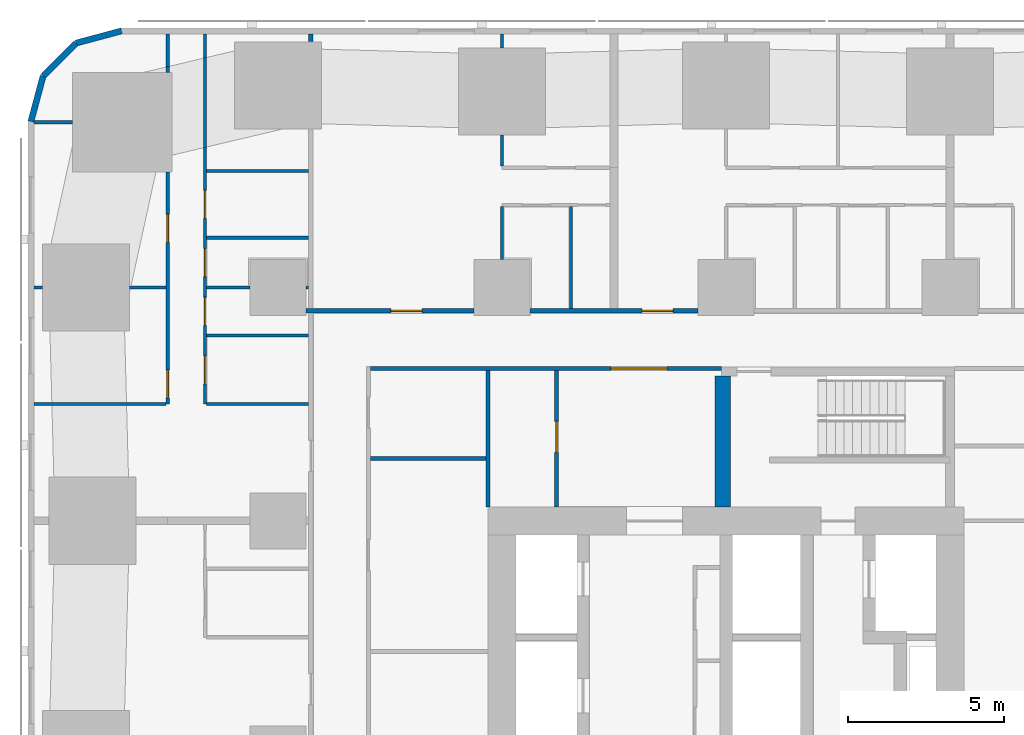
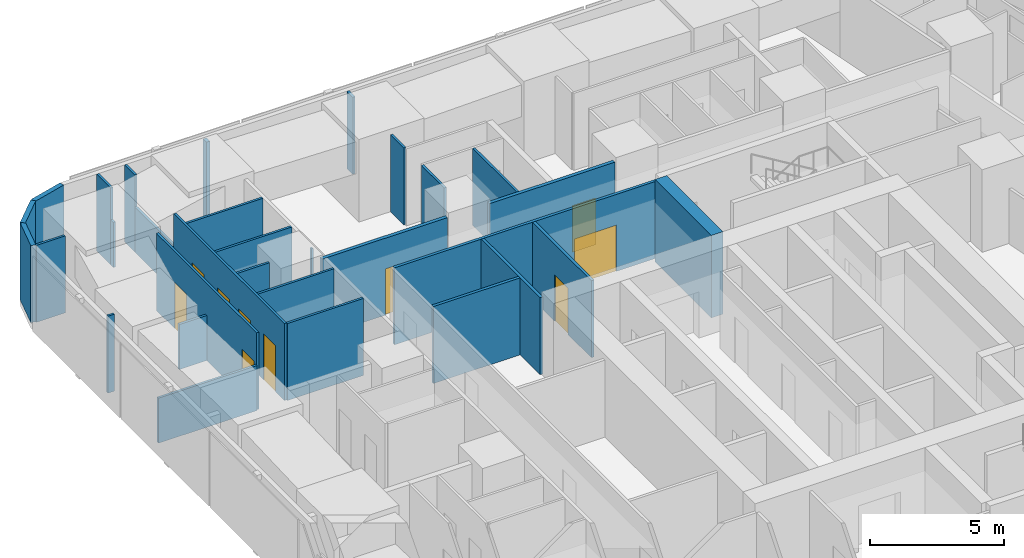
# One storey, part 9 of 16: 31 walls, 10 doors, 10 openings.
"""IFC4 building model written with IfcOpenShell, lengths in metres."""

from ifc_helpers import new_model, si_unit, direction, frame, frame_2d, origin, place, context, subcontext, project, spatial, rectangle, extrude, material, layer, layer_set, type_object, element, fill, save


model = new_model("IFC4")

# Units and contexts
model_context = context("Model", 3, precision=1e-05, world=origin(), true_north=direction((0.0, 1.0)))
body_context = subcontext(model_context, "Body", "Model", "MODEL_VIEW")
ifc_project = project(units=[si_unit("LENGTHUNIT", "METRE"), si_unit("AREAUNIT", "SQUARE_METRE"), si_unit("VOLUMEUNIT", "CUBIC_METRE"), si_unit("PLANEANGLEUNIT", "RADIAN"), si_unit("MASSUNIT", "GRAM", prefix="KILO")], contexts=[model_context])

# Site, building, storey
site_placement = place(None, origin())
site = spatial("IfcSite", under=ifc_project, at=site_placement, CompositionType="ELEMENT")
building_placement = place(site_placement, origin())
building = spatial("IfcBuilding", under=site, at=building_placement, Name="Sheger Commons Tower", CompositionType="ELEMENT")
storey_placement = place(building_placement, frame((0.0, 0.0, 61.25)))
storey = spatial("IfcBuildingStorey", under=building, at=storey_placement, Name="L15", CompositionType="ELEMENT", Elevation=61.25)

# Wall
ifc_material_1 = material(Name="Hollow concrete block masonry, skimmed both sides", Category="masonry")
ifc_layer_1 = layer(ifc_material_1, 0.14990234375)
ifc_layer_set_1 = layer_set([ifc_layer_1], Name="CORRIDOR WALL 150")
wall_type_1 = type_object("IfcWallType", Name="CORRIDOR WALL 150", PredefinedType="SOLIDWALL", material=ifc_layer_set_1)
wall_1_placement = place(storey_placement, frame((8.25, 45.40087890625, 0.0), z_axis=(0.0, 0.0, 1.0), x_axis=(0.0, 1.0, 0.0)))
element("IfcWall", 1, at=wall_1_placement, inside=storey, type_object=wall_type_1, Name="Corridor wall L15", PredefinedType="SOLIDWALL", context=body_context, shape_type="SweptSolid", body=[
    extrude(rectangle(XDim=0.2490234375, YDim=0.14990234375, at=frame_2d((0.12451171875, 0.0))), origin(), (0.0, 0.0, 1.0), 3.5),
])

# Wall, opening, door
wall_2_placement = place(storey_placement, frame((8.10009765625, 36.75, 0.0), z_axis=(0.0, 0.0, 1.0), x_axis=(1.0, 0.0, 0.0)))
wall_2 = element("IfcWall", 2, at=wall_2_placement, inside=storey, type_object=wall_type_1, Name="Corridor wall L15", PredefinedType="SOLIDWALL", context=body_context, shape_type="SweptSolid", body=[
    extrude(rectangle(XDim=5.39892578125, YDim=0.14990234375, at=frame_2d((2.699462890625, 0.0))), origin(), (0.0, 0.0, 1.0), 3.5),
])
opening_1_placement = place(wall_2_placement, frame((2.72509765625, 0.0, 0.0)))
opening_1 = element("IfcOpeningElement", 3, at=opening_1_placement, cuts=wall_2, Name="Opening D1", PredefinedType="OPENING", context=body_context, shape_type="SweptSolid", body=[
    extrude(rectangle(XDim=1.0, YDim=2.10009765625, at=frame_2d((0.5, 1.050048828125))), frame((0.0, 0.0849609375, 0.0), z_axis=(0.0, -1.0, 0.0), x_axis=(1.0, 0.0, 0.0)), (0.0, 0.0, 1.0), 0.169921875),
])
ifc_material_2 = material(Name="Steel door set, fire rated", Category="steel")
door_type_1 = type_object("IfcDoorType", Name="FLAT ENTRANCE DOOR 1000x2100", OperationType="NOTDEFINED", PredefinedType="DOOR", material=ifc_material_2)
door_1_placement = place(opening_1_placement, origin())
door_1 = element("IfcDoor", 4, at=door_1_placement, inside=storey, type_object=door_type_1, Name="Flat entrance door", OperationType="SINGLE_SWING_LEFT", OverallHeight=2.10009765625, OverallWidth=1.0, PredefinedType="DOOR", context=body_context, shape_type="SweptSolid", body=[
    extrude(rectangle(XDim=1.0, YDim=2.10009765625, at=frame_2d((0.5, 1.050048828125))), frame((0.0, 0.02490234375, 0.0), z_axis=(0.0, -1.0, 0.0), x_axis=(1.0, 0.0, 0.0)), (0.0, 0.0, 1.0), 0.050048828125),
])
fill(opening_1, door_1)

wall_3_placement = place(storey_placement, frame((15.301025390625, 36.75, 0.0), z_axis=(0.0, 0.0, 1.0), x_axis=(1.0, 0.0, 0.0)))
wall_3 = element("IfcWall", 5, at=wall_3_placement, inside=storey, type_object=wall_type_1, Name="Corridor wall L15", PredefinedType="SOLIDWALL", context=body_context, shape_type="SweptSolid", body=[
    extrude(rectangle(XDim=5.39794921875, YDim=0.14990234375, at=frame_2d((2.698974609375, 0.0))), origin(), (0.0, 0.0, 1.0), 3.5),
])
opening_2_placement = place(wall_3_placement, frame((3.59912109375, 0.0, 0.0)))
opening_2 = element("IfcOpeningElement", 6, at=opening_2_placement, cuts=wall_3, Name="Opening D1", PredefinedType="OPENING", context=body_context, shape_type="SweptSolid", body=[
    extrude(rectangle(XDim=1.0, YDim=2.10009765625, at=frame_2d((0.5, 1.050048828125))), frame((0.0, 0.0849609375, 0.0), z_axis=(0.0, -1.0, 0.0), x_axis=(1.0, 0.0, 0.0)), (0.0, 0.0, 1.0), 0.169921875),
])
door_2_placement = place(opening_2_placement, origin())
door_2 = element("IfcDoor", 7, at=door_2_placement, inside=storey, type_object=door_type_1, Name="Flat entrance door", OperationType="SINGLE_SWING_RIGHT", OverallHeight=2.10009765625, OverallWidth=1.0, PredefinedType="DOOR", context=body_context, shape_type="SweptSolid", body=[
    extrude(rectangle(XDim=1.0, YDim=2.10009765625, at=frame_2d((0.5, 1.050048828125))), frame((0.0, 0.02490234375, 0.0), z_axis=(0.0, -1.0, 0.0), x_axis=(1.0, 0.0, 0.0)), (0.0, 0.0, 1.0), 0.050048828125),
])
fill(opening_2, door_2)

# Walls
ifc_material_3 = material(Name="Rendered concrete block masonry, dark grey", Category="masonry")
ifc_layer_2 = layer(ifc_material_3, 0.199951171875)
ifc_layer_set_2 = layer_set([ifc_layer_2], Name="FACADE WALL 200")
wall_type_2 = type_object("IfcWallType", Name="FACADE WALL 200", PredefinedType="SOLIDWALL", material=ifc_layer_set_2)
wall_4_placement = place(storey_placement, frame((2.1630859375, 45.75, 0.0), z_axis=(0.0, 0.0, 1.0), x_axis=(-0.965832000415, -0.259168954497, 0.0)))
element("IfcWall", 8, at=wall_4_placement, inside=storey, type_object=wall_type_2, Name="Facade wall L15", PredefinedType="SOLIDWALL", context=body_context, shape_type="SweptSolid", body=[
    extrude(rectangle(XDim=1.512939453125, YDim=0.199951171875, at=frame_2d((0.75634765625, 0.0))), origin(), (0.0, 0.0, 1.0), 3.5),
])
wall_5_placement = place(storey_placement, frame((0.701904296875, 45.35791015625, 0.0), z_axis=(0.0, 0.0, 1.0), x_axis=(-0.707106781187, -0.707106781187, 0.0)))
element("IfcWall", 9, at=wall_5_placement, inside=storey, type_object=wall_type_2, Name="Facade wall L15", PredefinedType="SOLIDWALL", context=body_context, shape_type="SweptSolid", body=[
    extrude(rectangle(XDim=1.498779296875, YDim=0.199951171875, at=frame_2d((0.74951171875, 0.0))), origin(), (0.0, 0.0, 1.0), 3.5),
])
wall_6_placement = place(storey_placement, frame((-0.35791015625, 44.298095703125, 0.0), z_axis=(0.0, 0.0, 1.0), x_axis=(-0.259168954497, -0.965832000415, 0.0)))
element("IfcWall", 10, at=wall_6_placement, inside=storey, type_object=wall_type_2, Name="Facade wall L15", PredefinedType="SOLIDWALL", context=body_context, shape_type="SweptSolid", body=[
    extrude(rectangle(XDim=1.512939453125, YDim=0.199951171875, at=frame_2d((0.75634765625, 0.0))), origin(), (0.0, 0.0, 1.0), 3.5),
])

# Wall, openings, doors
ifc_material_4 = material(Name="Gypsum board on steel studs", Category="steel")
ifc_layer_3 = layer(ifc_material_4, 0.10009765625)
ifc_layer_set_3 = layer_set([ifc_layer_3], Name="PARTITION 100")
wall_type_3 = type_object("IfcWallType", Name="PARTITION 100", PredefinedType="PARTITIONING", material=ifc_layer_set_3)
wall_7_placement = place(storey_placement, frame((3.64990234375, 33.75, 0.0), z_axis=(0.0, 0.0, 1.0), x_axis=(0.0, 1.0, 0.0)))
wall_7 = element("IfcWall", 11, at=wall_7_placement, inside=storey, type_object=wall_type_3, Name="Partition L15", PredefinedType="PARTITIONING", context=body_context, shape_type="SweptSolid", body=[
    extrude(rectangle(XDim=7.462890625, YDim=0.10009765625, at=frame_2d((3.7314453125, 0.0))), origin(), (0.0, 0.0, 1.0), 3.5),
])
opening_3_placement = place(wall_7_placement, frame((0.199951171875, 0.0, 0.0)))
opening_3 = element("IfcOpeningElement", 12, at=opening_3_placement, cuts=wall_7, Name="Opening D2", PredefinedType="OPENING", context=body_context, shape_type="SweptSolid", body=[
    extrude(rectangle(XDim=0.89990234375, YDim=2.10009765625, at=frame_2d((0.449951171875, 1.050048828125))), frame((0.0, 0.06005859375, 0.0), z_axis=(0.0, -1.0, 0.0), x_axis=(1.0, 0.0, 0.0)), (0.0, 0.0, 1.0), 0.1201171875),
])
opening_4_placement = place(wall_7_placement, frame((5.199951171875, 0.0, 0.0)))
opening_4 = element("IfcOpeningElement", 13, at=opening_4_placement, cuts=wall_7, Name="Opening D2", PredefinedType="OPENING", context=body_context, shape_type="SweptSolid", body=[
    extrude(rectangle(XDim=0.89990234375, YDim=2.10009765625, at=frame_2d((0.449951171875, 1.050048828125))), frame((0.0, 0.06005859375, 0.0), z_axis=(0.0, -1.0, 0.0), x_axis=(1.0, 0.0, 0.0)), (0.0, 0.0, 1.0), 0.1201171875),
])
ifc_material_5 = material(Name="Timber door set", Category="wood")
door_type_2 = type_object("IfcDoorType", Name="INTERNAL DOOR 900x2100", OperationType="NOTDEFINED", PredefinedType="DOOR", material=ifc_material_5)
door_3_placement = place(opening_3_placement, origin())
door_3 = element("IfcDoor", 14, at=door_3_placement, inside=storey, type_object=door_type_2, Name="Main bedroom door", OperationType="SINGLE_SWING_LEFT", OverallHeight=2.10009765625, OverallWidth=0.89990234375, PredefinedType="DOOR", context=body_context, shape_type="SweptSolid", body=[
    extrude(rectangle(XDim=0.89990234375, YDim=2.10009765625, at=frame_2d((0.449951171875, 1.050048828125))), frame((0.0, 0.02490234375, 0.0), z_axis=(0.0, -1.0, 0.0), x_axis=(1.0, 0.0, 0.0)), (0.0, 0.0, 1.0), 0.050048828125),
])
fill(opening_3, door_3)
door_4_placement = place(opening_4_placement, origin())
door_4 = element("IfcDoor", 15, at=door_4_placement, inside=storey, type_object=door_type_2, Name="Bedroom 2 door", OperationType="SINGLE_SWING_RIGHT", OverallHeight=2.10009765625, OverallWidth=0.89990234375, PredefinedType="DOOR", context=body_context, shape_type="SweptSolid", body=[
    extrude(rectangle(XDim=0.89990234375, YDim=2.10009765625, at=frame_2d((0.449951171875, 1.050048828125))), frame((0.0, 0.02490234375, 0.0), z_axis=(0.0, -1.0, 0.0), x_axis=(1.0, 0.0, 0.0)), (0.0, 0.0, 1.0), 0.050048828125),
])
fill(opening_4, door_4)

# Walls
wall_8_placement = place(storey_placement, frame((3.64990234375, 44.4150390625, 0.0), z_axis=(0.0, 0.0, 1.0), x_axis=(0.0, 1.0, 0.0)))
element("IfcWall", 16, at=wall_8_placement, inside=storey, type_object=wall_type_3, Name="Partition L15", PredefinedType="PARTITIONING", context=body_context, shape_type="SweptSolid", body=[
    extrude(rectangle(XDim=0.196044921875, YDim=0.10009765625, at=frame_2d((0.09814453125, 0.0))), origin(), (0.0, 0.0, 1.0), 2.050048828125),
])
wall_9_placement = place(storey_placement, frame((3.64990234375, 44.611083984375, 0.0), z_axis=(0.0, 0.0, 1.0), x_axis=(0.0, 1.0, 0.0)))
element("IfcWall", 17, at=wall_9_placement, inside=storey, type_object=wall_type_3, Name="Partition L15", PredefinedType="PARTITIONING", context=body_context, shape_type="SweptSolid", body=[
    extrude(rectangle(XDim=1.038818359375, YDim=0.10009765625, at=frame_2d((0.51953125, 0.0))), origin(), (0.0, 0.0, 1.0), 3.5),
])

# Wall, openings, doors
wall_10_placement = place(storey_placement, frame((4.85009765625, 33.75, 0.0), z_axis=(0.0, 0.0, 1.0), x_axis=(0.0, 1.0, 0.0)))
wall_10 = element("IfcWall", 18, at=wall_10_placement, inside=storey, type_object=wall_type_3, Name="Partition L15", PredefinedType="PARTITIONING", context=body_context, shape_type="SweptSolid", body=[
    extrude(rectangle(XDim=8.243896484375, YDim=0.10009765625, at=frame_2d((4.1220703125, 0.0))), origin(), (0.0, 0.0, 1.0), 3.5),
])
opening_5_placement = place(wall_10_placement, frame((0.655029296875, 0.0, 0.0)))
opening_5 = element("IfcOpeningElement", 19, at=opening_5_placement, cuts=wall_10, Name="Opening D2", PredefinedType="OPENING", context=body_context, shape_type="SweptSolid", body=[
    extrude(rectangle(XDim=0.89990234375, YDim=2.10009765625, at=frame_2d((0.449951171875, 1.050048828125))), frame((0.0, 0.06005859375, 0.0), z_axis=(0.0, -1.0, 0.0), x_axis=(1.0, 0.0, 0.0)), (0.0, 0.0, 1.0), 0.1201171875),
])
opening_6_placement = place(wall_10_placement, frame((4.10009765625, 0.0, 0.0)))
opening_6 = element("IfcOpeningElement", 20, at=opening_6_placement, cuts=wall_10, Name="Opening D2", PredefinedType="OPENING", context=body_context, shape_type="SweptSolid", body=[
    extrude(rectangle(XDim=0.89990234375, YDim=2.10009765625, at=frame_2d((0.449951171875, 1.050048828125))), frame((0.0, 0.06005859375, 0.0), z_axis=(0.0, -1.0, 0.0), x_axis=(1.0, 0.0, 0.0)), (0.0, 0.0, 1.0), 0.1201171875),
])
opening_7_placement = place(wall_10_placement, frame((2.530029296875, 0.0, 0.0)))
opening_7 = element("IfcOpeningElement", 21, at=opening_7_placement, cuts=wall_10, Name="Opening D2", PredefinedType="OPENING", context=body_context, shape_type="SweptSolid", body=[
    extrude(rectangle(XDim=0.89990234375, YDim=2.10009765625, at=frame_2d((0.449951171875, 1.050048828125))), frame((0.0, 0.06005859375, 0.0), z_axis=(0.0, -1.0, 0.0), x_axis=(1.0, 0.0, 0.0)), (0.0, 0.0, 1.0), 0.1201171875),
])
opening_8_placement = place(wall_10_placement, frame((5.97509765625, 0.0, 0.0)))
opening_8 = element("IfcOpeningElement", 22, at=opening_8_placement, cuts=wall_10, Name="Opening D2", PredefinedType="OPENING", context=body_context, shape_type="SweptSolid", body=[
    extrude(rectangle(XDim=0.89990234375, YDim=2.10009765625, at=frame_2d((0.449951171875, 1.050048828125))), frame((0.0, 0.06005859375, 0.0), z_axis=(0.0, -1.0, 0.0), x_axis=(1.0, 0.0, 0.0)), (0.0, 0.0, 1.0), 0.1201171875),
])
door_5_placement = place(opening_5_placement, origin())
door_5 = element("IfcDoor", 23, at=door_5_placement, inside=storey, type_object=door_type_2, Name="Bathroom door", OperationType="SINGLE_SWING_RIGHT", OverallHeight=2.10009765625, OverallWidth=0.89990234375, PredefinedType="DOOR", context=body_context, shape_type="SweptSolid", body=[
    extrude(rectangle(XDim=0.89990234375, YDim=2.10009765625, at=frame_2d((0.449951171875, 1.050048828125))), frame((0.0, 0.02490234375, 0.0), z_axis=(0.0, -1.0, 0.0), x_axis=(1.0, 0.0, 0.0)), (0.0, 0.0, 1.0), 0.050048828125),
])
fill(opening_5, door_5)
door_6_placement = place(opening_6_placement, origin())
door_6 = element("IfcDoor", 24, at=door_6_placement, inside=storey, type_object=door_type_2, Name="Shower room door", OperationType="SINGLE_SWING_RIGHT", OverallHeight=2.10009765625, OverallWidth=0.89990234375, PredefinedType="DOOR", context=body_context, shape_type="SweptSolid", body=[
    extrude(rectangle(XDim=0.89990234375, YDim=2.10009765625, at=frame_2d((0.449951171875, 1.050048828125))), frame((0.0, 0.02490234375, 0.0), z_axis=(0.0, -1.0, 0.0), x_axis=(1.0, 0.0, 0.0)), (0.0, 0.0, 1.0), 0.050048828125),
])
fill(opening_6, door_6)
door_7_placement = place(opening_7_placement, origin())
door_7 = element("IfcDoor", 25, at=door_7_placement, inside=storey, type_object=door_type_2, Name="Store door", OperationType="SINGLE_SWING_RIGHT", OverallHeight=2.10009765625, OverallWidth=0.89990234375, PredefinedType="DOOR", context=body_context, shape_type="SweptSolid", body=[
    extrude(rectangle(XDim=0.89990234375, YDim=2.10009765625, at=frame_2d((0.449951171875, 1.050048828125))), frame((0.0, 0.02490234375, 0.0), z_axis=(0.0, -1.0, 0.0), x_axis=(1.0, 0.0, 0.0)), (0.0, 0.0, 1.0), 0.050048828125),
])
fill(opening_7, door_7)
door_8_placement = place(opening_8_placement, origin())
door_8 = element("IfcDoor", 26, at=door_8_placement, inside=storey, type_object=door_type_2, Name="Store door", OperationType="SINGLE_SWING_LEFT", OverallHeight=2.10009765625, OverallWidth=0.89990234375, PredefinedType="DOOR", context=body_context, shape_type="SweptSolid", body=[
    extrude(rectangle(XDim=0.89990234375, YDim=2.10009765625, at=frame_2d((0.449951171875, 1.050048828125))), frame((0.0, 0.02490234375, 0.0), z_axis=(0.0, -1.0, 0.0), x_axis=(1.0, 0.0, 0.0)), (0.0, 0.0, 1.0), 0.050048828125),
])
fill(opening_8, door_8)

# Walls
wall_11_placement = place(storey_placement, frame((4.85009765625, 41.993896484375, 0.0), z_axis=(0.0, 0.0, 1.0), x_axis=(0.0, 1.0, 0.0)))
element("IfcWall", 27, at=wall_11_placement, inside=storey, type_object=wall_type_3, Name="Partition L15", PredefinedType="PARTITIONING", context=body_context, shape_type="SweptSolid", body=[
    extrude(rectangle(XDim=2.901123046875, YDim=0.10009765625, at=frame_2d((1.45068359375, 0.0))), origin(), (0.0, 0.0, 1.0), 2.050048828125),
])
wall_12_placement = place(storey_placement, frame((4.85009765625, 44.89501953125, 0.0), z_axis=(0.0, 0.0, 1.0), x_axis=(0.0, 1.0, 0.0)))
element("IfcWall", 28, at=wall_12_placement, inside=storey, type_object=wall_type_3, Name="Partition L15", PredefinedType="PARTITIONING", context=body_context, shape_type="SweptSolid", body=[
    extrude(rectangle(XDim=0.7548828125, YDim=0.10009765625, at=frame_2d((0.37744140625, 0.0))), origin(), (0.0, 0.0, 1.0), 3.5),
])
wall_13_placement = place(storey_placement, frame((-0.64990234375, 33.75, 0.0), z_axis=(0.0, 0.0, 1.0), x_axis=(1.0, 0.0, 0.0)))
element("IfcWall", 29, at=wall_13_placement, inside=storey, type_object=wall_type_3, Name="Partition L15", PredefinedType="PARTITIONING", context=body_context, shape_type="SweptSolid", body=[
    extrude(rectangle(XDim=4.25, YDim=0.10009765625, at=frame_2d((2.125, 0.0))), origin(), (0.0, 0.0, 1.0), 2.050048828125),
])
wall_14_placement = place(storey_placement, frame((-0.64990234375, 37.5, 0.0), z_axis=(0.0, 0.0, 1.0), x_axis=(1.0, 0.0, 0.0)))
element("IfcWall", 30, at=wall_14_placement, inside=storey, type_object=wall_type_3, Name="Partition L15", PredefinedType="PARTITIONING", context=body_context, shape_type="SweptSolid", body=[
    extrude(rectangle(XDim=0.27392578125, YDim=0.10009765625, at=frame_2d((0.136962890625, 0.0))), origin(), (0.0, 0.0, 1.0), 3.5),
])
wall_15_placement = place(storey_placement, frame((2.426025390625, 37.5, 0.0), z_axis=(0.0, 0.0, 1.0), x_axis=(1.0, 0.0, 0.0)))
element("IfcWall", 31, at=wall_15_placement, inside=storey, type_object=wall_type_3, Name="Partition L15", PredefinedType="PARTITIONING", context=body_context, shape_type="SweptSolid", body=[
    extrude(rectangle(XDim=1.174072265625, YDim=0.10009765625, at=frame_2d((0.5869140625, 0.0))), origin(), (0.0, 0.0, 1.0), 2.050048828125),
])
wall_16_placement = place(storey_placement, frame((-0.64990234375, 42.81396484375, 0.0), z_axis=(0.0, 0.0, 1.0), x_axis=(1.0, 0.0, 0.0)))
element("IfcWall", 32, at=wall_16_placement, inside=storey, type_object=wall_type_3, Name="Partition L15", PredefinedType="PARTITIONING", context=body_context, shape_type="SweptSolid", body=[
    extrude(rectangle(XDim=1.23486328125, YDim=0.10009765625, at=frame_2d((0.617431640625, 0.0))), origin(), (0.0, 0.0, 1.0), 3.5),
])
wall_17_placement = place(storey_placement, frame((4.89990234375, 33.75, 0.0), z_axis=(0.0, 0.0, 1.0), x_axis=(1.0, 0.0, 0.0)))
element("IfcWall", 33, at=wall_17_placement, inside=storey, type_object=wall_type_3, Name="Partition L15", PredefinedType="PARTITIONING", context=body_context, shape_type="SweptSolid", body=[
    extrude(rectangle(XDim=3.275146484375, YDim=0.10009765625, at=frame_2d((1.6376953125, 0.0))), origin(), (0.0, 0.0, 1.0), 3.5),
])
wall_18_placement = place(storey_placement, frame((4.89990234375, 37.5, 0.0), z_axis=(0.0, 0.0, 1.0), x_axis=(1.0, 0.0, 0.0)))
element("IfcWall", 34, at=wall_18_placement, inside=storey, type_object=wall_type_3, Name="Partition L15", PredefinedType="PARTITIONING", context=body_context, shape_type="SweptSolid", body=[
    extrude(rectangle(XDim=1.399169921875, YDim=0.10009765625, at=frame_2d((0.69970703125, 0.0))), origin(), (0.0, 0.0, 1.0), 3.5),
])
wall_19_placement = place(storey_placement, frame((8.10107421875, 37.5, 0.0), z_axis=(0.0, 0.0, 1.0), x_axis=(1.0, 0.0, 0.0)))
element("IfcWall", 35, at=wall_19_placement, inside=storey, type_object=wall_type_3, Name="Partition L15", PredefinedType="PARTITIONING", context=body_context, shape_type="SweptSolid", body=[
    extrude(rectangle(XDim=0.073974609375, YDim=0.10009765625, at=frame_2d((0.037109375, 0.0))), origin(), (0.0, 0.0, 1.0), 3.5),
])
for number, where, z_axis, x_axis, name in (
    (36, (4.89990234375, 41.25, 0.0), (0.0, 0.0, 1.0), (1.0, 0.0, 0.0), "Partition L15"),
    (37, (4.89990234375, 35.9599609375, 0.0), (0.0, 0.0, 1.0), (1.0, 0.0, 0.0), "Partition L15"),
    (38, (4.89990234375, 39.10009765625, 0.0), (0.0, 0.0, 1.0), (1.0, 0.0, 0.0), "Partition L15"),
):
    element("IfcWall", number, at=place(storey_placement, frame(where, z_axis=z_axis, x_axis=x_axis)), inside=storey, type_object=wall_type_3, Name=name, PredefinedType="PARTITIONING", context=body_context, shape_type="SweptSolid", body=[
        extrude(rectangle(XDim=3.275146484375, YDim=0.10009765625, at=frame_2d((1.6376953125, 0.0))), origin(), (0.0, 0.0, 1.0), 3.5),
    ])
wall_20_placement = place(storey_placement, frame((14.39990234375, 41.39990234375, 0.0), z_axis=(0.0, 0.0, 1.0), x_axis=(0.0, 1.0, 0.0)))
element("IfcWall", 39, at=wall_20_placement, inside=storey, type_object=wall_type_3, Name="Partition L15", PredefinedType="PARTITIONING", context=body_context, shape_type="SweptSolid", body=[
    extrude(rectangle(XDim=0.9990234375, YDim=0.10009765625, at=frame_2d((0.49951171875, 0.0))), origin(), (0.0, 0.0, 1.0), 3.5),
])
wall_21_placement = place(storey_placement, frame((14.39990234375, 45.200927734375, 0.0), z_axis=(0.0, 0.0, 1.0), x_axis=(0.0, 1.0, 0.0)))
element("IfcWall", 40, at=wall_21_placement, inside=storey, type_object=wall_type_3, Name="Partition L15", PredefinedType="PARTITIONING", context=body_context, shape_type="SweptSolid", body=[
    extrude(rectangle(XDim=0.448974609375, YDim=0.10009765625, at=frame_2d((0.224609375, 0.0))), origin(), (0.0, 0.0, 1.0), 3.5),
])
wall_22_placement = place(storey_placement, frame((14.39990234375, 38.40087890625, 0.0), z_axis=(0.0, 0.0, 1.0), x_axis=(0.0, 1.0, 0.0)))
element("IfcWall", 41, at=wall_22_placement, inside=storey, type_object=wall_type_3, Name="Partition L15", PredefinedType="PARTITIONING", context=body_context, shape_type="SweptSolid", body=[
    extrude(rectangle(XDim=1.69921875, YDim=0.10009765625, at=frame_2d((0.849609375, 0.0))), origin(), (0.0, 0.0, 1.0), 3.5),
])
wall_23_placement = place(storey_placement, frame((16.610107421875, 36.824951171875, 0.0), z_axis=(0.0, 0.0, 1.0), x_axis=(0.0, 1.0, 0.0)))
element("IfcWall", 42, at=wall_23_placement, inside=storey, type_object=wall_type_3, Name="Partition L15", PredefinedType="PARTITIONING", context=body_context, shape_type="SweptSolid", body=[
    extrude(rectangle(XDim=3.275146484375, YDim=0.10009765625, at=frame_2d((1.6376953125, 0.0))), origin(), (0.0, 0.0, 1.0), 3.5),
])
ifc_material_6 = material(Name="Gypsum board on steel studs, two layers each side, fire rated", Category="steel")
ifc_layer_4 = layer(ifc_material_6, 0.125)
ifc_layer_set_4 = layer_set([ifc_layer_4], Name="SERVICE WALL 125")
wall_type_4 = type_object("IfcWallType", Name="SERVICE WALL 125", PredefinedType="PARTITIONING", material=ifc_layer_set_4)
wall_24_placement = place(storey_placement, frame((10.1630859375, 32.0, 0.0), z_axis=(0.0, 0.0, 1.0), x_axis=(1.0, 0.0, 0.0)))
element("IfcWall", 43, at=wall_24_placement, inside=storey, type_object=wall_type_4, Name="Service room wall L15", PredefinedType="PARTITIONING", context=body_context, shape_type="SweptSolid", body=[
    extrude(rectangle(XDim=3.724853515625, YDim=0.125, at=frame_2d((1.8623046875, 0.0))), origin(), (0.0, 0.0, 1.0), 3.5),
])
wall_25_placement = place(storey_placement, frame((13.949951171875, 30.449951171875, 0.0), z_axis=(0.0, 0.0, 1.0), x_axis=(0.0, 1.0, 0.0)))
element("IfcWall", 44, at=wall_25_placement, inside=storey, type_object=wall_type_4, Name="Service room wall L15", PredefinedType="PARTITIONING", context=body_context, shape_type="SweptSolid", body=[
    extrude(rectangle(XDim=4.386962890625, YDim=0.125, at=frame_2d((2.193359375, 0.0))), origin(), (0.0, 0.0, 1.0), 3.5),
])

# Wall, opening, door
wall_26_placement = place(storey_placement, frame((10.1630859375, 34.89990234375, 0.0), z_axis=(0.0, 0.0, 1.0), x_axis=(1.0, 0.0, 0.0)))
wall_26 = element("IfcWall", 45, at=wall_26_placement, inside=storey, type_object=wall_type_4, Name="Service room wall L15", PredefinedType="PARTITIONING", context=body_context, shape_type="SweptSolid", body=[
    extrude(rectangle(XDim=11.286865234375, YDim=0.125, at=frame_2d((5.6435546875, 0.0))), origin(), (0.0, 0.0, 1.0), 3.5),
])
opening_9_placement = place(wall_26_placement, frame((7.737060546875, 0.0, 0.0)))
opening_9 = element("IfcOpeningElement", 46, at=opening_9_placement, cuts=wall_26, Name="Opening D6", PredefinedType="OPENING", context=body_context, shape_type="SweptSolid", body=[
    extrude(rectangle(XDim=1.800048828125, YDim=2.10009765625, at=frame_2d((0.89990234375, 1.050048828125))), frame((0.0, 0.072509765625, 0.0), z_axis=(0.0, -1.0, 0.0), x_axis=(1.0, 0.0, 0.0)), (0.0, 0.0, 1.0), 0.14501953125),
])
ifc_material_7 = material(Name="Steel door set, fire rated", Category="steel")
door_type_3 = type_object("IfcDoorType", Name="LOBBY DOUBLE DOOR 1800x2100", OperationType="DOUBLE_DOOR_SINGLE_SWING", PredefinedType="DOOR", material=ifc_material_7)
door_9_placement = place(opening_9_placement, origin())
door_9 = element("IfcDoor", 47, at=door_9_placement, inside=storey, type_object=door_type_3, Name="Lift lobby north door", OperationType="DOUBLE_DOOR_SINGLE_SWING", OverallHeight=2.10009765625, OverallWidth=1.800048828125, PredefinedType="DOOR", context=body_context, shape_type="SweptSolid", body=[
    extrude(rectangle(XDim=1.800048828125, YDim=2.10009765625, at=frame_2d((0.89990234375, 1.050048828125))), frame((0.0, 0.02490234375, 0.0), z_axis=(0.0, -1.0, 0.0), x_axis=(1.0, 0.0, 0.0)), (0.0, 0.0, 1.0), 0.050048828125),
])
fill(opening_9, door_9)

wall_27_placement = place(storey_placement, frame((16.14990234375, 30.449951171875, 0.0), z_axis=(0.0, 0.0, 1.0), x_axis=(0.0, 1.0, 0.0)))
wall_27 = element("IfcWall", 48, at=wall_27_placement, inside=storey, type_object=wall_type_4, Name="Service room wall L15", PredefinedType="PARTITIONING", context=body_context, shape_type="SweptSolid", body=[
    extrude(rectangle(XDim=4.386962890625, YDim=0.125, at=frame_2d((2.193359375, 0.0))), origin(), (0.0, 0.0, 1.0), 3.5),
])
opening_10_placement = place(wall_27_placement, frame((1.75, 0.0, 0.0)))
opening_10 = element("IfcOpeningElement", 49, at=opening_10_placement, cuts=wall_27, Name="Opening D4", PredefinedType="OPENING", context=body_context, shape_type="SweptSolid", body=[
    extrude(rectangle(XDim=1.0, YDim=2.10009765625, at=frame_2d((0.5, 1.050048828125))), frame((0.0, 0.072509765625, 0.0), z_axis=(0.0, -1.0, 0.0), x_axis=(1.0, 0.0, 0.0)), (0.0, 0.0, 1.0), 0.14501953125),
])
ifc_material_8 = material(Name="Steel door set, fire rated", Category="steel")
door_type_4 = type_object("IfcDoorType", Name="SERVICE DOOR 1000x2100", OperationType="NOTDEFINED", PredefinedType="DOOR", material=ifc_material_8)
door_10_placement = place(opening_10_placement, origin())
door_10 = element("IfcDoor", 50, at=door_10_placement, inside=storey, type_object=door_type_4, Name="Telecom room door", OperationType="SINGLE_SWING_RIGHT", OverallHeight=2.10009765625, OverallWidth=1.0, PredefinedType="DOOR", context=body_context, shape_type="SweptSolid", body=[
    extrude(rectangle(XDim=1.0, YDim=2.10009765625, at=frame_2d((0.5, 1.050048828125))), frame((0.0, 0.02490234375, 0.0), z_axis=(0.0, -1.0, 0.0), x_axis=(1.0, 0.0, 0.0)), (0.0, 0.0, 1.0), 0.050048828125),
])
fill(opening_10, door_10)

# Wall
ifc_material_9 = material(Name="Concrete C50/60", Category="concrete")
ifc_layer_5 = layer(ifc_material_9, 0.5)
ifc_layer_set_5 = layer_set([ifc_layer_5], Name="STAIR CORE WALL 500")
wall_type_5 = type_object("IfcWallType", Name="STAIR CORE WALL 500", PredefinedType="SHEAR", material=ifc_layer_set_5)
wall_28_placement = place(storey_placement, frame((21.5, 30.449951171875, 0.0), z_axis=(0.0, 0.0, 1.0), x_axis=(0.0, 1.0, 0.0)))
element("IfcWall", 51, at=wall_28_placement, inside=storey, type_object=wall_type_5, Name="STW-L15-S2W", PredefinedType="SHEAR", context=body_context, shape_type="SweptSolid", body=[
    extrude(rectangle(XDim=4.199951171875, YDim=0.5, at=frame_2d((2.10009765625, 0.0))), origin(), (0.0, 0.0, 1.0), 3.75),
])

save(model, "model.ifc")
